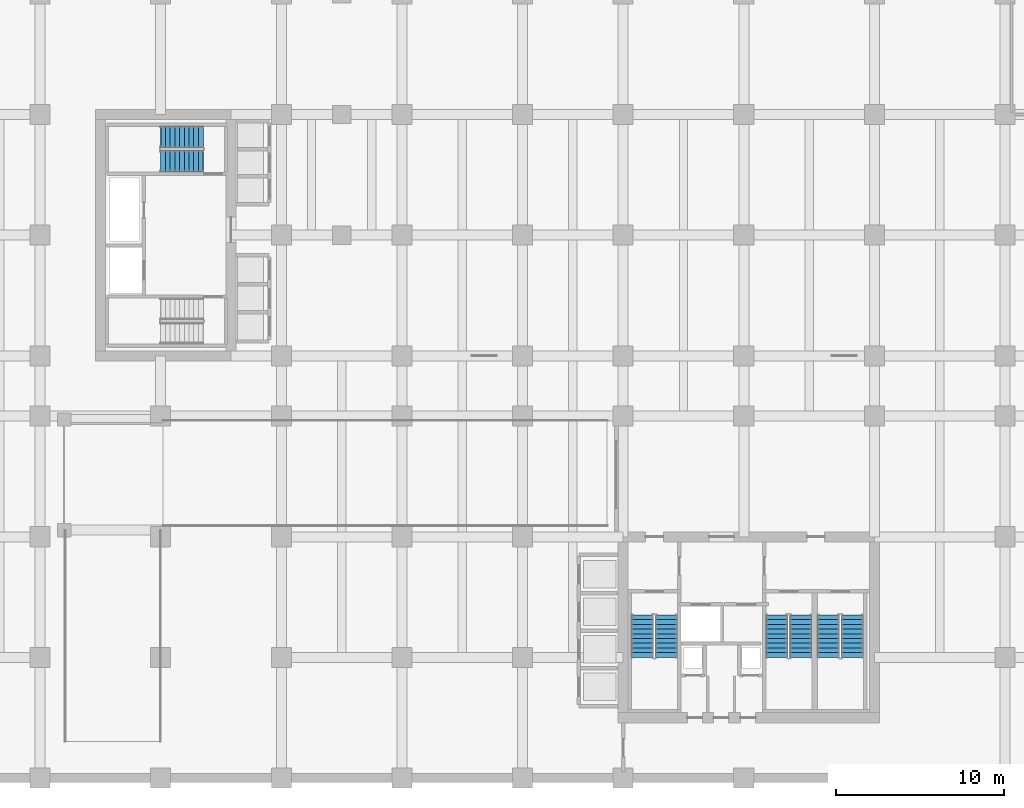
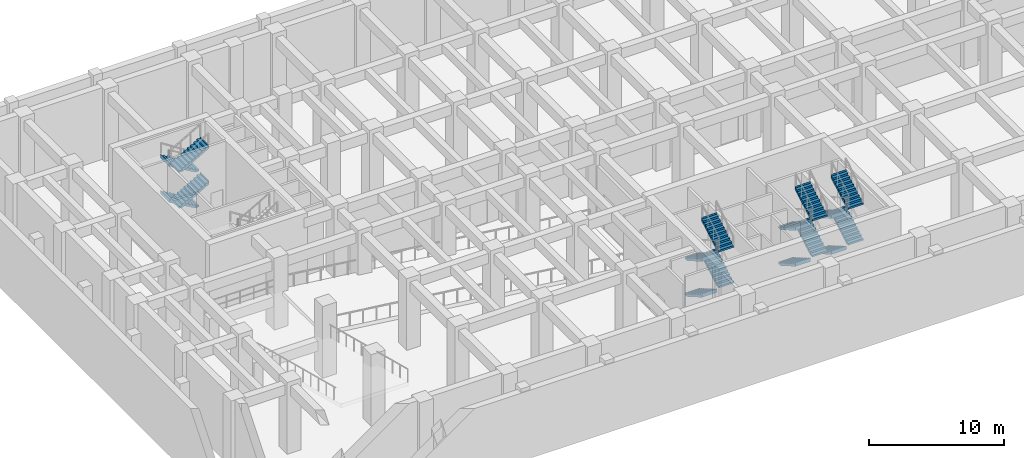
# One storey, part 9 of 13: 16 stair flights, 4 elements without a shape of their own.
"""IFC4 building model written with IfcOpenShell, lengths in metres."""

from ifc_helpers import new_model, si_unit, derived_unit, direction, frame, origin, place, context, subcontext, project, spatial, polyline, outline, extrude, source, transform, mapped, material, layer, layer_set, type_object, type_shapes, element, aggregate, save


model = new_model("IFC4")

# Units and contexts
model_context = context("Model", 3, precision=1e-05, world=origin(), true_north=direction((0.0, 1.0)))
body_context = subcontext(model_context, "Body", "Model", "MODEL_VIEW")
ifc_project = project(units=[si_unit("LENGTHUNIT", "METRE"), si_unit("AREAUNIT", "SQUARE_METRE"), si_unit("VOLUMEUNIT", "CUBIC_METRE"), si_unit("PLANEANGLEUNIT", "RADIAN"), si_unit("MASSUNIT", "GRAM", prefix="KILO"), si_unit("THERMODYNAMICTEMPERATUREUNIT", "KELVIN"), si_unit("POWERUNIT", "WATT"), derived_unit("THERMALTRANSMITTANCEUNIT", [(si_unit("POWERUNIT", "WATT"), 1), (si_unit("AREAUNIT", "SQUARE_METRE"), -1), (si_unit("THERMODYNAMICTEMPERATUREUNIT", "KELVIN"), -1)])], contexts=[model_context])

# Site, building, storey
site_placement = place(None, origin())
site = spatial("IfcSite", under=ifc_project, at=site_placement, CompositionType="ELEMENT")
building_placement = place(site_placement, origin())
building = spatial("IfcBuilding", under=site, at=building_placement, Name="Zahravan Archway Hotel and Residences", CompositionType="ELEMENT")
storey_placement = place(building_placement, frame((0.0, 0.0, -6.5)))
storey = spatial("IfcBuildingStorey", under=building, at=storey_placement, Name="B01", CompositionType="ELEMENT", Elevation=-6.5)

# Stair, stair flights
ifc_material = material(Name="Concrete C50/60", Category="concrete")
stair_type = type_object("IfcStairType", Name="STR-CORE-1300", PredefinedType="HALF_TURN_STAIR", material=ifc_material)
stair_1_placement = place(storey_placement, origin())
stair_1 = element("IfcStair", 1, at=stair_1_placement, inside=storey, type_object=stair_type, Name="B01 Core A Exit Stair 1", PredefinedType="HALF_TURN_STAIR")
ifc_layer = layer(ifc_material, 0.199951171875, Name="Concrete C50/60", Category="concrete")
ifc_layer_set = layer_set([ifc_layer], Name="Concrete C50/60")
stair_flight_type = type_object("IfcStairFlightType", Name="SFL-CORE-1300", PredefinedType="STRAIGHT", material=ifc_layer_set)
shared_shape = source(origin(), body_context, "Body", "SweptSolid", [
    extrude(outline(polyline([(-0.01611328125, 0.0), (-0.01611328125, 0.16259765625), (0.280029296875, 0.16259765625), (0.280029296875, 0.324951171875), (0.56005859375, 0.324951171875), (0.56005859375, 0.487548828125), (0.840087890625, 0.487548828125), (0.840087890625, 0.64990234375), (1.1201171875, 0.64990234375), (1.1201171875, 0.8125), (1.39990234375, 0.8125), (1.39990234375, 0.97509765625), (1.679931640625, 0.97509765625), (1.679931640625, 1.137451171875), (1.9599609375, 1.137451171875), (1.9599609375, 1.300048828125), (2.239990234375, 1.300048828125), (2.239990234375, 1.46240234375), (2.52001953125, 1.46240234375), (2.52001953125, 1.625), (2.5361328125, 1.625), (2.5361328125, 1.2890625), (0.298583984375, 0.0), (-0.01611328125, 0.0)])), frame((0.0, 0.64990234375, 0.0), z_axis=(0.0, -1.0, 0.0), x_axis=(1.0, 0.0, 0.0)), (0.0, 0.0, 1.0), 1.300048828125),
])
type_shapes(stair_flight_type, [shared_shape])
stair_flight_1_placement = place(storey_placement, frame((35.949951171875, 9.72998046875, 0.0), z_axis=(0.0, 0.0, 1.0), x_axis=(0.0, -1.0, 0.0)))
stair_flight_1 = element("IfcStairFlight", 2, at=stair_flight_1_placement, type_object=stair_flight_type, Name="ST-A1 flight 1", NumberOfRisers=10, NumberOfTreads=9, PredefinedType="STRAIGHT", RiserHeight=0.1625, TreadLength=0.28, context=body_context, shape_type="MappedRepresentation", body=[
    mapped(shared_shape, transform((0.0, 0.0, 0.0), scale=1.0)),
])
stair_flight_2_placement = place(storey_placement, frame((37.389892578125, 7.2099609375, 1.625), z_axis=(0.0, 0.0, 1.0), x_axis=(0.0, 1.0, 0.0)))
stair_flight_2 = element("IfcStairFlight", 3, at=stair_flight_2_placement, type_object=stair_flight_type, Name="ST-A1 flight 2", NumberOfRisers=10, NumberOfTreads=9, PredefinedType="STRAIGHT", RiserHeight=0.1625, TreadLength=0.28, context=body_context, shape_type="MappedRepresentation", body=[
    mapped(shared_shape, transform((0.0, 0.0, 0.0), scale=1.0)),
])
stair_flight_3_placement = place(storey_placement, frame((35.949951171875, 9.72998046875, 3.25), z_axis=(0.0, 0.0, 1.0), x_axis=(0.0, -1.0, 0.0)))
stair_flight_3 = element("IfcStairFlight", 4, at=stair_flight_3_placement, type_object=stair_flight_type, Name="ST-A1 flight 3", NumberOfRisers=10, NumberOfTreads=9, PredefinedType="STRAIGHT", RiserHeight=0.1625, TreadLength=0.28, context=body_context, shape_type="MappedRepresentation", body=[
    mapped(shared_shape, transform((0.0, 0.0, 0.0), scale=1.0)),
])
stair_flight_4_placement = place(storey_placement, frame((37.389892578125, 7.2099609375, 4.875), z_axis=(0.0, 0.0, 1.0), x_axis=(0.0, 1.0, 0.0)))
stair_flight_4 = element("IfcStairFlight", 5, at=stair_flight_4_placement, type_object=stair_flight_type, Name="ST-A1 flight 4", NumberOfRisers=10, NumberOfTreads=9, PredefinedType="STRAIGHT", RiserHeight=0.1625, TreadLength=0.28, context=body_context, shape_type="MappedRepresentation", body=[
    mapped(shared_shape, transform((0.0, 0.0, 0.0), scale=1.0)),
])
aggregate(stair_1, [stair_flight_1, stair_flight_2, stair_flight_3, stair_flight_4])

stair_2_placement = place(storey_placement, origin())
stair_2 = element("IfcStair", 6, at=stair_2_placement, inside=storey, type_object=stair_type, Name="B01 Core A Exit Stair 2", PredefinedType="HALF_TURN_STAIR")
stair_flight_5_placement = place(storey_placement, frame((43.969970703125, 9.72998046875, 0.0), z_axis=(0.0, 0.0, 1.0), x_axis=(0.0, -1.0, 0.0)))
stair_flight_5 = element("IfcStairFlight", 7, at=stair_flight_5_placement, type_object=stair_flight_type, Name="ST-A2 flight 1", NumberOfRisers=10, NumberOfTreads=9, PredefinedType="STRAIGHT", RiserHeight=0.1625, TreadLength=0.28, context=body_context, shape_type="MappedRepresentation", body=[
    mapped(shared_shape, transform((0.0, 0.0, 0.0), scale=1.0)),
])
stair_flight_6_placement = place(storey_placement, frame((45.409912109375, 7.2099609375, 1.625), z_axis=(0.0, 0.0, 1.0), x_axis=(0.0, 1.0, 0.0)))
stair_flight_6 = element("IfcStairFlight", 8, at=stair_flight_6_placement, type_object=stair_flight_type, Name="ST-A2 flight 2", NumberOfRisers=10, NumberOfTreads=9, PredefinedType="STRAIGHT", RiserHeight=0.1625, TreadLength=0.28, context=body_context, shape_type="MappedRepresentation", body=[
    mapped(shared_shape, transform((0.0, 0.0, 0.0), scale=1.0)),
])
stair_flight_7_placement = place(storey_placement, frame((43.969970703125, 9.72998046875, 3.25), z_axis=(0.0, 0.0, 1.0), x_axis=(0.0, -1.0, 0.0)))
stair_flight_7 = element("IfcStairFlight", 9, at=stair_flight_7_placement, type_object=stair_flight_type, Name="ST-A2 flight 3", NumberOfRisers=10, NumberOfTreads=9, PredefinedType="STRAIGHT", RiserHeight=0.1625, TreadLength=0.28, context=body_context, shape_type="MappedRepresentation", body=[
    mapped(shared_shape, transform((0.0, 0.0, 0.0), scale=1.0)),
])
stair_flight_8_placement = place(storey_placement, frame((45.409912109375, 7.2099609375, 4.875), z_axis=(0.0, 0.0, 1.0), x_axis=(0.0, 1.0, 0.0)))
stair_flight_8 = element("IfcStairFlight", 10, at=stair_flight_8_placement, type_object=stair_flight_type, Name="ST-A2 flight 4", NumberOfRisers=10, NumberOfTreads=9, PredefinedType="STRAIGHT", RiserHeight=0.1625, TreadLength=0.28, context=body_context, shape_type="MappedRepresentation", body=[
    mapped(shared_shape, transform((0.0, 0.0, 0.0), scale=1.0)),
])
aggregate(stair_2, [stair_flight_5, stair_flight_6, stair_flight_7, stair_flight_8])

stair_3_placement = place(storey_placement, origin())
stair_3 = element("IfcStair", 11, at=stair_3_placement, inside=storey, type_object=stair_type, Name="B01 Core A Exit Stair 3", PredefinedType="HALF_TURN_STAIR")
stair_flight_9_placement = place(storey_placement, frame((47.050048828125, 9.72998046875, 0.0), z_axis=(0.0, 0.0, 1.0), x_axis=(0.0, -1.0, 0.0)))
stair_flight_9 = element("IfcStairFlight", 12, at=stair_flight_9_placement, type_object=stair_flight_type, Name="ST-A3 flight 1", NumberOfRisers=10, NumberOfTreads=9, PredefinedType="STRAIGHT", RiserHeight=0.1625, TreadLength=0.28, context=body_context, shape_type="MappedRepresentation", body=[
    mapped(shared_shape, transform((0.0, 0.0, 0.0), scale=1.0)),
])
stair_flight_10_placement = place(storey_placement, frame((48.489990234375, 7.2099609375, 1.625), z_axis=(0.0, 0.0, 1.0), x_axis=(0.0, 1.0, 0.0)))
stair_flight_10 = element("IfcStairFlight", 13, at=stair_flight_10_placement, type_object=stair_flight_type, Name="ST-A3 flight 2", NumberOfRisers=10, NumberOfTreads=9, PredefinedType="STRAIGHT", RiserHeight=0.1625, TreadLength=0.28, context=body_context, shape_type="MappedRepresentation", body=[
    mapped(shared_shape, transform((0.0, 0.0, 0.0), scale=1.0)),
])
stair_flight_11_placement = place(storey_placement, frame((47.050048828125, 9.72998046875, 3.25), z_axis=(0.0, 0.0, 1.0), x_axis=(0.0, -1.0, 0.0)))
stair_flight_11 = element("IfcStairFlight", 14, at=stair_flight_11_placement, type_object=stair_flight_type, Name="ST-A3 flight 3", NumberOfRisers=10, NumberOfTreads=9, PredefinedType="STRAIGHT", RiserHeight=0.1625, TreadLength=0.28, context=body_context, shape_type="MappedRepresentation", body=[
    mapped(shared_shape, transform((0.0, 0.0, 0.0), scale=1.0)),
])
stair_flight_12_placement = place(storey_placement, frame((48.489990234375, 7.2099609375, 4.875), z_axis=(0.0, 0.0, 1.0), x_axis=(0.0, 1.0, 0.0)))
stair_flight_12 = element("IfcStairFlight", 15, at=stair_flight_12_placement, type_object=stair_flight_type, Name="ST-A3 flight 4", NumberOfRisers=10, NumberOfTreads=9, PredefinedType="STRAIGHT", RiserHeight=0.1625, TreadLength=0.28, context=body_context, shape_type="MappedRepresentation", body=[
    mapped(shared_shape, transform((0.0, 0.0, 0.0), scale=1.0)),
])
aggregate(stair_3, [stair_flight_9, stair_flight_10, stair_flight_11, stair_flight_12])

stair_4_placement = place(storey_placement, origin())
stair_4 = element("IfcStair", 16, at=stair_4_placement, inside=storey, type_object=stair_type, Name="B01 Core B Exit Stair 2", PredefinedType="HALF_TURN_STAIR")
stair_flight_13_placement = place(storey_placement, frame((9.72998046875, 38.25, 0.0), z_axis=(0.0, 0.0, 1.0), x_axis=(-1.0, 0.0, 0.0)))
stair_flight_13 = element("IfcStairFlight", 17, at=stair_flight_13_placement, type_object=stair_flight_type, Name="ST-B2 flight 1", NumberOfRisers=10, NumberOfTreads=9, PredefinedType="STRAIGHT", RiserHeight=0.1625, TreadLength=0.28, context=body_context, shape_type="MappedRepresentation", body=[
    mapped(shared_shape, transform((0.0, 0.0, 0.0), scale=1.0)),
])
stair_flight_14_placement = place(storey_placement, frame((7.2099609375, 36.81005859375, 1.625), z_axis=(0.0, 0.0, 1.0), x_axis=(1.0, 0.0, 0.0)))
stair_flight_14 = element("IfcStairFlight", 18, at=stair_flight_14_placement, type_object=stair_flight_type, Name="ST-B2 flight 2", NumberOfRisers=10, NumberOfTreads=9, PredefinedType="STRAIGHT", RiserHeight=0.1625, TreadLength=0.28, context=body_context, shape_type="MappedRepresentation", body=[
    mapped(shared_shape, transform((0.0, 0.0, 0.0), scale=1.0)),
])
stair_flight_15_placement = place(storey_placement, frame((9.72998046875, 38.25, 3.25), z_axis=(0.0, 0.0, 1.0), x_axis=(-1.0, 0.0, 0.0)))
stair_flight_15 = element("IfcStairFlight", 19, at=stair_flight_15_placement, type_object=stair_flight_type, Name="ST-B2 flight 3", NumberOfRisers=10, NumberOfTreads=9, PredefinedType="STRAIGHT", RiserHeight=0.1625, TreadLength=0.28, context=body_context, shape_type="MappedRepresentation", body=[
    mapped(shared_shape, transform((0.0, 0.0, 0.0), scale=1.0)),
])
stair_flight_16_placement = place(storey_placement, frame((7.2099609375, 36.81005859375, 4.875), z_axis=(0.0, 0.0, 1.0), x_axis=(1.0, 0.0, 0.0)))
stair_flight_16 = element("IfcStairFlight", 20, at=stair_flight_16_placement, type_object=stair_flight_type, Name="ST-B2 flight 4", NumberOfRisers=10, NumberOfTreads=9, PredefinedType="STRAIGHT", RiserHeight=0.1625, TreadLength=0.28, context=body_context, shape_type="MappedRepresentation", body=[
    mapped(shared_shape, transform((0.0, 0.0, 0.0), scale=1.0)),
])
aggregate(stair_4, [stair_flight_13, stair_flight_14, stair_flight_15, stair_flight_16])

save(model, "model.ifc")
